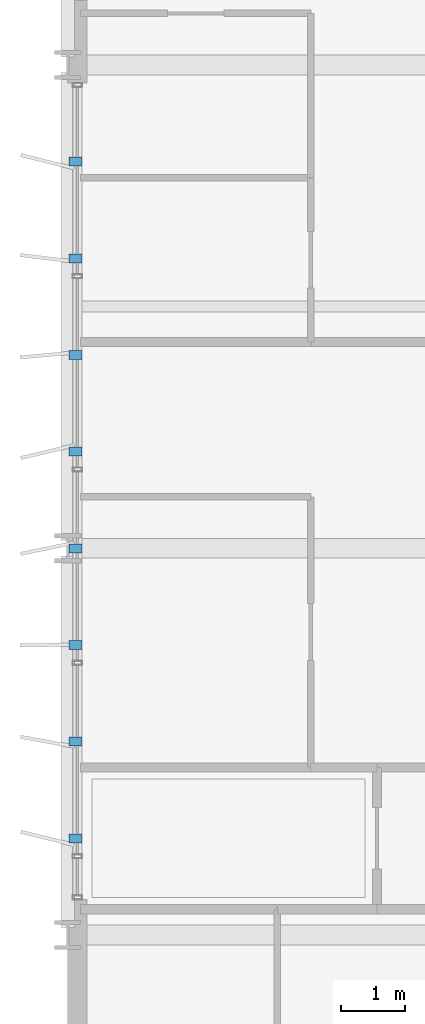
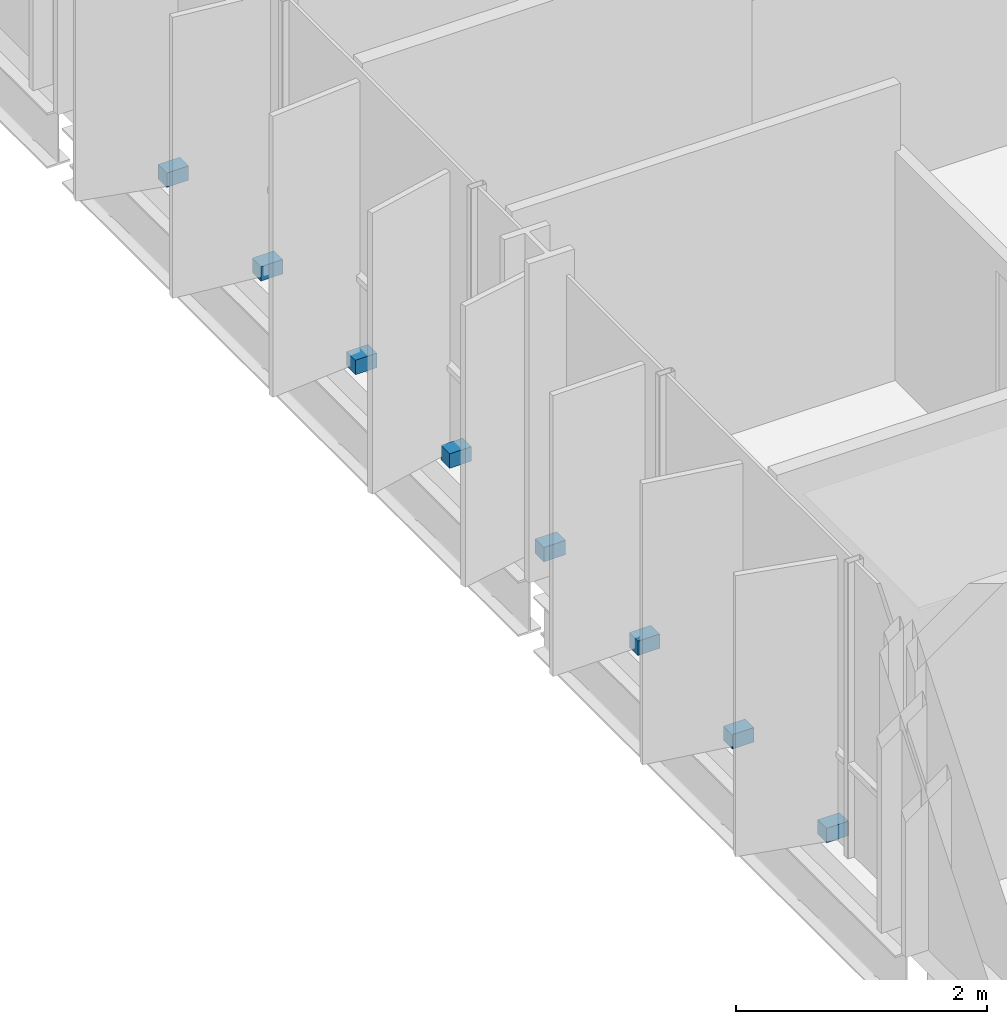
# One storey, part 34 of 39: 8 discrete accessories.
"""IFC4 building model written with IfcOpenShell, lengths in metres."""

from ifc_helpers import new_model, si_unit, direction, frame, origin, origin_2d, place, context, subcontext, project, spatial, rectangle, extrude, material, type_object, element, save


model = new_model("IFC4")

# Units and contexts
model_context = context("Model", 3, precision=1e-05, world=origin(), true_north=direction((0.0, 1.0)))
body_context = subcontext(model_context, "Body", "Model", "MODEL_VIEW")
ifc_project = project(units=[si_unit("LENGTHUNIT", "METRE"), si_unit("AREAUNIT", "SQUARE_METRE"), si_unit("VOLUMEUNIT", "CUBIC_METRE"), si_unit("PLANEANGLEUNIT", "RADIAN"), si_unit("MASSUNIT", "GRAM", prefix="KILO")], contexts=[model_context])

# Site, building, storey
site_placement = place(None, origin())
site = spatial("IfcSite", under=ifc_project, at=site_placement, CompositionType="ELEMENT")
building_placement = place(site_placement, origin())
building = spatial("IfcBuilding", under=site, at=building_placement, Name="Brevholm Reach", CompositionType="ELEMENT")
storey_placement = place(building_placement, frame((0.0, 0.0, 77.60009765625)))
storey = spatial("IfcBuildingStorey", under=building, at=storey_placement, Name="L22", CompositionType="ELEMENT", Elevation=77.60009765625)

# Discrete accessories
ifc_material = material(Name="Duplex Stainless Steel EN 1.4462", Category="steel")
discrete_accessory_type = type_object("IfcDiscreteAccessoryType", Name="ACC-BRK-01", PredefinedType="BRACKET", material=ifc_material)
for number, where, z_axis, x_axis, name in (
    (1, (0.1201171875, 11.5, 0.02978515625), (0.0, 0.0, 1.0), (-1.0, 0.0, 0.0), "L22 Solar Screen Support Bracket 1"),
    (2, (0.1201171875, 13.0, 0.02978515625), (0.0, 0.0, 1.0), (-1.0, 0.0, 0.0), "L22 Solar Screen Support Bracket 2"),
    (3, (0.1201171875, 14.5, 0.02978515625), (0.0, 0.0, 1.0), (-1.0, 0.0, 0.0), "L22 Solar Screen Support Bracket 3"),
    (4, (0.1201171875, 16.0, 0.02978515625), (0.0, 0.0, 1.0), (-1.0, 0.0, 0.0), "L22 Solar Screen Support Bracket 4"),
    (5, (0.1201171875, 17.5, 0.02978515625), (0.0, 0.0, 1.0), (-1.0, 0.0, 0.0), "L22 Solar Screen Support Bracket 5"),
    (6, (0.1201171875, 19.0, 0.02978515625), (0.0, 0.0, 1.0), (-1.0, 0.0, 0.0), "L22 Solar Screen Support Bracket 6"),
    (7, (0.1201171875, 20.5, 0.02978515625), (0.0, 0.0, 1.0), (-1.0, 0.0, 0.0), "L22 Solar Screen Support Bracket 7"),
    (8, (0.1201171875, 22.0, 0.02978515625), (0.0, 0.0, 1.0), (-1.0, 0.0, 0.0), "L22 Solar Screen Support Bracket 8"),
):
    element("IfcDiscreteAccessory", number, at=place(storey_placement, frame(where, z_axis=z_axis, x_axis=x_axis)), inside=storey, type_object=discrete_accessory_type, Name=name, PredefinedType="BRACKET", context=body_context, shape_type="SweptSolid", body=[
        extrude(rectangle(XDim=0.199951171875, YDim=0.139892578125, at=origin_2d()), origin(), (0.0, 0.0, 1.0), 0.139892578125),
    ])

save(model, "model.ifc")
